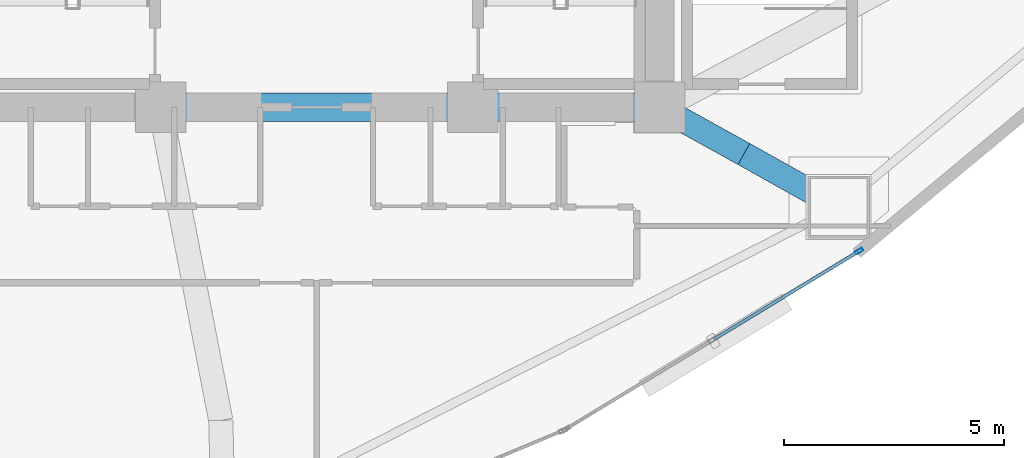
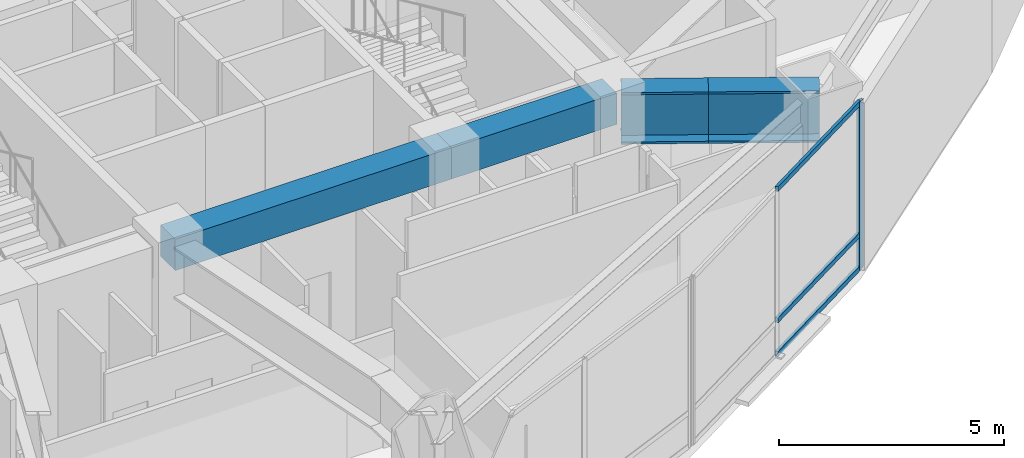
# One storey, part 6 of 19: 4 beams, 4 members, 1 element without a shape of its own.
"""IFC4 building model written with IfcOpenShell, lengths in metres."""

from ifc_helpers import new_model, si_unit, direction, frame, origin, origin_2d, place, context, subcontext, project, spatial, rectangle, hollow_rectangle, i_section, extrude, material, layer, layer_set, material_profile, profile_set, type_object, element, aggregate, save


model = new_model("IFC4")

# Units and contexts
model_context = context("Model", 3, precision=1e-05, world=origin(), true_north=direction((0.0, 1.0)))
body_context = subcontext(model_context, "Body", "Model", "MODEL_VIEW")
ifc_project = project(units=[si_unit("LENGTHUNIT", "METRE"), si_unit("AREAUNIT", "SQUARE_METRE"), si_unit("VOLUMEUNIT", "CUBIC_METRE"), si_unit("PLANEANGLEUNIT", "RADIAN"), si_unit("MASSUNIT", "GRAM", prefix="KILO")], contexts=[model_context])

# Site, building, storey
site_placement = place(None, origin())
site = spatial("IfcSite", under=ifc_project, at=site_placement, CompositionType="ELEMENT")
building_placement = place(site_placement, origin())
building = spatial("IfcBuilding", under=site, at=building_placement, Name="Menara Vayukalpa", CompositionType="ELEMENT")
storey_placement = place(building_placement, frame((0.0, 0.0, 22.800048828125)))
storey = spatial("IfcBuildingStorey", under=building, at=storey_placement, Name="L04", CompositionType="ELEMENT", Elevation=22.800048828125)

# Beams
ifc_material_1 = material(Name="Concrete C60/75", Category="concrete")
ifc_material_profile_1 = material_profile(ifc_material_1, rectangle(XDim=0.64990234375, YDim=0.85009765625, at=origin_2d()), Name="RC 650x850")
ifc_profile_set_1 = profile_set([ifc_material_profile_1], Name="Concrete C60/75")
beam_type_1 = type_object("IfcBeamType", Name="BM-CB1", PredefinedType="BEAM", material=ifc_profile_set_1)
beam_1_placement = place(storey_placement, frame((22.050048828125, 17.199951171875, 4.125), z_axis=(1.0, 0.0, 0.0), x_axis=(0.0, 1.0, 0.0)))
element("IfcBeam", 1, at=beam_1_placement, inside=storey, type_object=beam_type_1, Name="L04 Core Tie Beam CBR2", PredefinedType="BEAM", context=body_context, shape_type="SweptSolid", body=[
    extrude(rectangle(XDim=0.64990234375, YDim=0.85009765625, at=origin_2d()), origin(), (0.0, 0.0, 1.0), 7.099853515625),
])
beam_2_placement = place(storey_placement, frame((29.14990234375, 17.199951171875, 4.125), z_axis=(1.0, 0.0, 0.0), x_axis=(0.0, 1.0, 0.0)))
element("IfcBeam", 2, at=beam_2_placement, inside=storey, type_object=beam_type_1, Name="L04 Core Tie Beam CBR3", PredefinedType="BEAM", context=body_context, shape_type="SweptSolid", body=[
    extrude(rectangle(XDim=0.64990234375, YDim=0.85009765625, at=origin_2d()), origin(), (0.0, 0.0, 1.0), 4.25),
])
ifc_material_2 = material(Name="Steel S460", Category="steel")
ifc_material_profile_2 = material_profile(ifc_material_2, i_section(OverallWidth=0.550048828125, OverallDepth=1.39990234375, WebThickness=0.031982421875, FlangeThickness=0.06005859375, at=origin_2d()), Name="WG 1400x550x32x60")
ifc_profile_set_2 = profile_set([ifc_material_profile_2], Name="Steel S460")
beam_type_2 = type_object("IfcBeamType", Name="BM-TG1", PredefinedType="BEAM", material=ifc_profile_set_2)
beam_3_placement = place(storey_placement, frame((33.618408203125, 17.078369140625, 3.849853515625), z_axis=(0.874731542921, -0.484607808252, 0.0), x_axis=(0.484607808252, 0.874731542921, 0.0)))
element("IfcBeam", 3, at=beam_3_placement, inside=storey, type_object=beam_type_2, Name="L04 Radial Transfer Girder Inner 09", PredefinedType="BEAM", context=body_context, shape_type="SweptSolid", body=[
    extrude(i_section(OverallWidth=0.550048828125, OverallDepth=1.39990234375, WebThickness=0.031982421875, FlangeThickness=0.06005859375, at=origin_2d()), origin(), (0.0, 0.0, 1.0), 1.943115234375),
])
beam_4_placement = place(storey_placement, frame((35.318115234375, 16.13671875, 3.849853515625), z_axis=(0.872479058961, -0.488651503297, 0.0), x_axis=(0.488651503297, 0.872479058961, 0.0)))
element("IfcBeam", 4, at=beam_4_placement, inside=storey, type_object=beam_type_2, Name="L04 Radial Transfer Girder Outer 09", PredefinedType="BEAM", context=body_context, shape_type="SweptSolid", body=[
    extrude(i_section(OverallWidth=0.550048828125, OverallDepth=1.39990234375, WebThickness=0.031982421875, FlangeThickness=0.06005859375, at=origin_2d()), origin(), (0.0, 0.0, 1.0), 2.47119140625),
])

# Curtain wall, members
ifc_material_3 = material(Name="Anodised Terracotta Aluminium Alloy 6063-T6", Category="masonry")
ifc_layer = layer(ifc_material_3, 0.179931640625)
ifc_layer_set = layer_set([ifc_layer], Name="Anodised Terracotta Aluminium Alloy 6063-T6")
curtain_wall_type = type_object("IfcCurtainWallType", Name="CW-CW1", PredefinedType="USERDEFINED", material=ifc_layer_set)
curtain_wall_placement = place(storey_placement, origin())
curtain_wall = element("IfcCurtainWall", 5, at=curtain_wall_placement, inside=storey, type_object=curtain_wall_type, Name="L04 Podium Unitised Ribbon Curtain Wall CW1 17", ObjectType="UNITISED", PredefinedType="USERDEFINED")
ifc_material_4 = material(Name="Anodised Terracotta Aluminium Alloy 6063-T6", Category="masonry")
ifc_material_profile_3 = material_profile(ifc_material_4, hollow_rectangle(XDim=0.074951171875, YDim=0.179931640625, WallThickness=0.00390625, at=origin_2d()), Name="ALU 75x180x4")
ifc_profile_set_3 = profile_set([ifc_material_profile_3], Name="Anodised Terracotta Aluminium Alloy 6063-T6")
member_type_1 = type_object("IfcMemberType", Name="CWM-CW1", PredefinedType="MULLION", material=ifc_profile_set_3)
member_1_placement = place(storey_placement, frame((37.941162109375, 13.929443359375, 0.0), z_axis=(0.0, 0.0, 1.0), x_axis=(-0.519179879231, 0.854664994604, 0.0)))
member_1 = element("IfcMember", 6, at=member_1_placement, type_object=member_type_1, Name="CW1 mullion 3", PredefinedType="MULLION", context=body_context, shape_type="SweptSolid", body=[
    extrude(hollow_rectangle(XDim=0.074951171875, YDim=0.179931640625, WallThickness=0.00390625, at=origin_2d()), origin(), (0.0, 0.0, 1.0), 4.550048828125),
])
ifc_material_5 = material(Name="Anodised Terracotta Aluminium Alloy 6063-T6", Category="masonry")
ifc_material_profile_4 = material_profile(ifc_material_5, hollow_rectangle(XDim=0.074951171875, YDim=0.135009765625, WallThickness=0.00390625, at=origin_2d()), Name="ALU 75x135x4")
ifc_profile_set_4 = profile_set([ifc_material_profile_4], Name="Anodised Terracotta Aluminium Alloy 6063-T6")
member_type_2 = type_object("IfcMemberType", Name="CWT-CW1", PredefinedType="USERDEFINED", material=ifc_profile_set_4)
member_2_placement = place(storey_placement, frame((34.639404296875, 11.923583984375, 0.037353515625), z_axis=(0.85465908819, 0.519189602144, 0.0), x_axis=(-0.519189602144, 0.85465908819, 0.0)))
member_2 = element("IfcMember", 7, at=member_2_placement, type_object=member_type_2, Name="CW1 transom 2.1", ObjectType="TRANSOM", PredefinedType="USERDEFINED", context=body_context, shape_type="SweptSolid", body=[
    extrude(hollow_rectangle(XDim=0.074951171875, YDim=0.135009765625, WallThickness=0.00390625, at=origin_2d()), origin(), (0.0, 0.0, 1.0), 3.825927734375),
])
member_3_placement = place(storey_placement, frame((34.639404296875, 11.923583984375, 0.949951171875), z_axis=(0.85465908819, 0.519189602144, 0.0), x_axis=(-0.519189602144, 0.85465908819, 0.0)))
member_3 = element("IfcMember", 8, at=member_3_placement, type_object=member_type_2, Name="CW1 transom 2.2", ObjectType="TRANSOM", PredefinedType="USERDEFINED", context=body_context, shape_type="SweptSolid", body=[
    extrude(hollow_rectangle(XDim=0.074951171875, YDim=0.135009765625, WallThickness=0.00390625, at=origin_2d()), origin(), (0.0, 0.0, 1.0), 3.825927734375),
])
member_4_placement = place(storey_placement, frame((34.639404296875, 11.923583984375, 4.512451171875), z_axis=(0.85465908819, 0.519189602144, 0.0), x_axis=(-0.519189602144, 0.85465908819, 0.0)))
member_4 = element("IfcMember", 9, at=member_4_placement, type_object=member_type_2, Name="CW1 transom 2.3", ObjectType="TRANSOM", PredefinedType="USERDEFINED", context=body_context, shape_type="SweptSolid", body=[
    extrude(hollow_rectangle(XDim=0.074951171875, YDim=0.135009765625, WallThickness=0.00390625, at=origin_2d()), origin(), (0.0, 0.0, 1.0), 3.825927734375),
])
aggregate(curtain_wall, [member_1, member_2, member_3, member_4])

save(model, "model.ifc")
